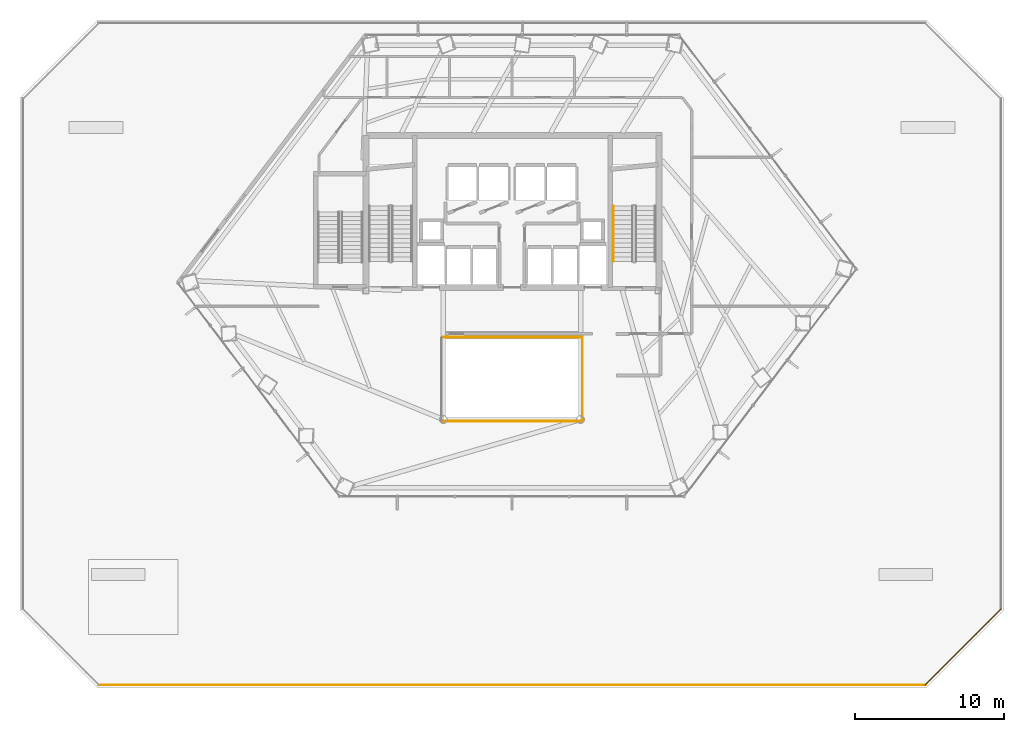
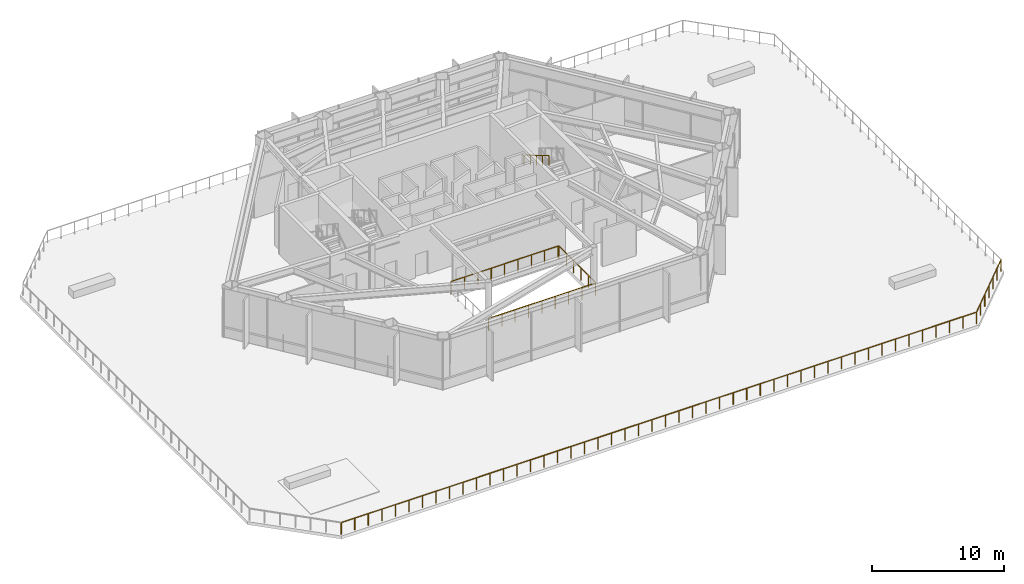
# One storey, part 26 of 30: 6 railings.
"""IFC4 building model written with IfcOpenShell, lengths in metres."""

from ifc_helpers import new_model, si_unit, direction, frame, origin, origin_2d, place, context, subcontext, project, spatial, circle, extrude, material, type_object, element, save


model = new_model("IFC4")

# Units and contexts
model_context = context("Model", 3, precision=1e-05, world=origin(), true_north=direction((0.0, 1.0)))
body_context = subcontext(model_context, "Body", "Model", "MODEL_VIEW")
ifc_project = project(units=[si_unit("LENGTHUNIT", "METRE"), si_unit("AREAUNIT", "SQUARE_METRE"), si_unit("VOLUMEUNIT", "CUBIC_METRE"), si_unit("PLANEANGLEUNIT", "RADIAN"), si_unit("MASSUNIT", "GRAM", prefix="KILO")], contexts=[model_context])

# Site, building, storey
site_placement = place(None, origin())
site = spatial("IfcSite", under=ifc_project, at=site_placement, CompositionType="ELEMENT")
building_placement = place(site_placement, origin())
building = spatial("IfcBuilding", under=site, at=building_placement, Name="Zarrinselat Tower", CompositionType="ELEMENT")
storey_placement = place(building_placement, frame((0.0, 0.0, 22.780029296875)))
storey = spatial("IfcBuildingStorey", under=building, at=storey_placement, Name="L05", CompositionType="ELEMENT", Elevation=22.780029296875)

# Railings
ifc_material_1 = material(Name="Double Low-E Laminated Solar Glass", Category="glass")
railing_type_1 = type_object("IfcRailingType", Name="RLG-ATRIUM-BAL", PredefinedType="BALUSTRADE", material=ifc_material_1)
railing_1_placement = place(storey_placement, frame((33.739990234375, 24.280029296875, 0.0)))
element("IfcRailing", 1, at=railing_1_placement, inside=storey, type_object=railing_type_1, Name="L05 Atrium Void Glass Balustrade S", PredefinedType="BALUSTRADE", context=body_context, shape_type="SweptSolid", body=[
    extrude(circle(Radius=0.02392578125, at=origin_2d()), frame((0.0, 0.0, 1.1259765625), z_axis=(1.0, 0.0, 0.0), x_axis=(0.0, 1.0, 0.0)), (0.0, 0.0, 1.0), 9.320068359375),
    extrude(circle(Radius=0.02099609375, at=origin_2d()), origin(), (0.0, 0.0, 1.0), 1.099853515625),
    extrude(circle(Radius=0.02099609375, at=origin_2d()), frame((1.1650390625, 0.0, 0.0)), (0.0, 0.0, 1.0), 1.099853515625),
    extrude(circle(Radius=0.02099609375, at=origin_2d()), frame((2.330078125, 0.0, 0.0)), (0.0, 0.0, 1.0), 1.099853515625),
    extrude(circle(Radius=0.02099609375, at=origin_2d()), frame((3.4951171875, 0.0, 0.0)), (0.0, 0.0, 1.0), 1.099853515625),
    extrude(circle(Radius=0.02099609375, at=origin_2d()), frame((4.66015625, 0.0, 0.0)), (0.0, 0.0, 1.0), 1.099853515625),
    extrude(circle(Radius=0.02099609375, at=origin_2d()), frame((5.824951171875, 0.0, 0.0)), (0.0, 0.0, 1.0), 1.099853515625),
    extrude(circle(Radius=0.02099609375, at=origin_2d()), frame((6.989990234375, 0.0, 0.0)), (0.0, 0.0, 1.0), 1.099853515625),
    extrude(circle(Radius=0.02099609375, at=origin_2d()), frame((8.155029296875, 0.0, 0.0)), (0.0, 0.0, 1.0), 1.099853515625),
    extrude(circle(Radius=0.02099609375, at=origin_2d()), frame((9.320068359375, 0.0, 0.0)), (0.0, 0.0, 1.0), 1.099853515625),
])
railing_2_placement = place(storey_placement, frame((43.1201171875, 24.340087890625, 0.0)))
element("IfcRailing", 2, at=railing_2_placement, inside=storey, type_object=railing_type_1, Name="L05 Atrium Void Glass Balustrade E", PredefinedType="BALUSTRADE", context=body_context, shape_type="SweptSolid", body=[
    extrude(circle(Radius=0.02392578125, at=origin_2d()), frame((0.0, 0.0, 1.1259765625), z_axis=(0.0, 1.0, 0.0), x_axis=(-1.0, 0.0, 0.0)), (0.0, 0.0, 1.0), 5.52001953125),
    extrude(circle(Radius=0.02099609375, at=origin_2d()), origin(), (0.0, 0.0, 1.0), 1.099853515625),
    extrude(circle(Radius=0.02099609375, at=origin_2d()), frame((0.0, 1.10400390625, 0.0)), (0.0, 0.0, 1.0), 1.099853515625),
    extrude(circle(Radius=0.02099609375, at=origin_2d()), frame((0.0, 2.2080078125, 0.0)), (0.0, 0.0, 1.0), 1.099853515625),
    extrude(circle(Radius=0.02099609375, at=origin_2d()), frame((0.0, 3.31201171875, 0.0)), (0.0, 0.0, 1.0), 1.099853515625),
    extrude(circle(Radius=0.02099609375, at=origin_2d()), frame((0.0, 4.416015625, 0.0)), (0.0, 0.0, 1.0), 1.099853515625),
    extrude(circle(Radius=0.02099609375, at=origin_2d()), frame((0.0, 5.52001953125, 0.0)), (0.0, 0.0, 1.0), 1.099853515625),
])
railing_3_placement = place(storey_placement, frame((43.06005859375, 29.919921875, 0.0)))
element("IfcRailing", 3, at=railing_3_placement, inside=storey, type_object=railing_type_1, Name="L05 Atrium Void Glass Balustrade N", PredefinedType="BALUSTRADE", context=body_context, shape_type="SweptSolid", body=[
    extrude(circle(Radius=0.02392578125, at=origin_2d()), frame((0.0, 0.0, 1.1259765625), z_axis=(-1.0, 0.0, 0.0), x_axis=(0.0, -1.0, 0.0)), (0.0, 0.0, 1.0), 9.320068359375),
    extrude(circle(Radius=0.02099609375, at=origin_2d()), origin(), (0.0, 0.0, 1.0), 1.099853515625),
    extrude(circle(Radius=0.02099609375, at=origin_2d()), frame((-1.1650390625, 0.0, 0.0)), (0.0, 0.0, 1.0), 1.099853515625),
    extrude(circle(Radius=0.02099609375, at=origin_2d()), frame((-2.330078125, 0.0, 0.0)), (0.0, 0.0, 1.0), 1.099853515625),
    extrude(circle(Radius=0.02099609375, at=origin_2d()), frame((-3.4951171875, 0.0, 0.0)), (0.0, 0.0, 1.0), 1.099853515625),
    extrude(circle(Radius=0.02099609375, at=origin_2d()), frame((-4.66015625, 0.0, 0.0)), (0.0, 0.0, 1.0), 1.099853515625),
    extrude(circle(Radius=0.02099609375, at=origin_2d()), frame((-5.824951171875, 0.0, 0.0)), (0.0, 0.0, 1.0), 1.099853515625),
    extrude(circle(Radius=0.02099609375, at=origin_2d()), frame((-6.989990234375, 0.0, 0.0)), (0.0, 0.0, 1.0), 1.099853515625),
    extrude(circle(Radius=0.02099609375, at=origin_2d()), frame((-8.155029296875, 0.0, 0.0)), (0.0, 0.0, 1.0), 1.099853515625),
    extrude(circle(Radius=0.02099609375, at=origin_2d()), frame((-9.320068359375, 0.0, 0.0)), (0.0, 0.0, 1.0), 1.099853515625),
])
ifc_material_2 = material(Name="Steel S355J2", Category="steel")
railing_type_2 = type_object("IfcRailingType", Name="RLG-STAIR-HAND", PredefinedType="HANDRAIL", material=ifc_material_2)
railing_4_placement = place(storey_placement, frame((45.18994140625, 38.719970703125, 2.56298828125)))
element("IfcRailing", 4, at=railing_4_placement, inside=storey, type_object=railing_type_2, Name="L05 ST-2 stair handrail 2", PredefinedType="HANDRAIL", context=body_context, shape_type="SweptSolid", body=[
    extrude(circle(Radius=0.02392578125, at=origin_2d()), frame((0.0, 0.0, 0.8759765625), z_axis=(0.0, -0.861042381604, 0.508533201553), x_axis=(1.0, 0.0, 0.0)), (0.0, 0.0, 1.0), 4.3203125),
    extrude(circle(Radius=0.02099609375, at=origin_2d()), origin(), (0.0, 0.0, 1.0), 0.849853515625),
    extrude(circle(Radius=0.02099609375, at=origin_2d()), frame((0.0, -0.929931640625, 0.54931640625)), (0.0, 0.0, 1.0), 0.849853515625),
    extrude(circle(Radius=0.02099609375, at=origin_2d()), frame((0.0, -1.85986328125, 1.0986328125)), (0.0, 0.0, 1.0), 0.849853515625),
    extrude(circle(Radius=0.02099609375, at=origin_2d()), frame((0.0, -2.7900390625, 1.647705078125)), (0.0, 0.0, 1.0), 0.849853515625),
    extrude(circle(Radius=0.02099609375, at=origin_2d()), frame((0.0, -3.719970703125, 2.197021484375)), (0.0, 0.0, 1.0), 0.849853515625),
])
ifc_material_3 = material(Name="Steel S355J2", Category="steel")
railing_type_3 = type_object("IfcRailingType", Name="RLG-TERR-GUARD", PredefinedType="GUARDRAIL", material=ifc_material_3)
railing_5_placement = place(storey_placement, frame((71.199951171875, 11.682861328125, 0.0)))
element("IfcRailing", 5, at=railing_5_placement, inside=storey, type_object=railing_type_3, Name="L05 Chahar-Bagh Raised Garden Guardrail 7-1", PredefinedType="GUARDRAIL", context=body_context, shape_type="SweptSolid", body=[
    extrude(circle(Radius=0.02392578125, at=origin_2d()), frame((0.0, 0.0, 1.09619140625), z_axis=(-0.707106781187, -0.707106781187, 0.0), x_axis=(0.707106781187, -0.707106781187, 0.0)), (0.0, 0.0, 1.0), 7.188232421875),
    extrude(circle(Radius=0.02099609375, at=origin_2d()), origin(), (0.0, 0.0, 1.0), 1.070068359375),
    extrude(circle(Radius=0.02099609375, at=origin_2d()), frame((-0.84716796875, -0.84716796875, 0.0)), (0.0, 0.0, 1.0), 1.070068359375),
    extrude(circle(Radius=0.02099609375, at=origin_2d()), frame((-1.6943359375, -1.6943359375, 0.0)), (0.0, 0.0, 1.0), 1.070068359375),
    extrude(circle(Radius=0.02099609375, at=origin_2d()), frame((-2.54150390625, -2.54150390625, 0.0)), (0.0, 0.0, 1.0), 1.070068359375),
    extrude(circle(Radius=0.02099609375, at=origin_2d()), frame((-3.388427734375, -3.388427734375, 0.0)), (0.0, 0.0, 1.0), 1.070068359375),
    extrude(circle(Radius=0.02099609375, at=origin_2d()), frame((-4.235595703125, -4.235595703125, 0.0)), (0.0, 0.0, 1.0), 1.070068359375),
    extrude(circle(Radius=0.02099609375, at=origin_2d()), frame((-5.082763671875, -5.082763671875, 0.0)), (0.0, 0.0, 1.0), 1.070068359375),
])
railing_6_placement = place(storey_placement, frame((66.1171875, 6.60009765625, 0.0)))
element("IfcRailing", 6, at=railing_6_placement, inside=storey, type_object=railing_type_3, Name="L05 Chahar-Bagh Raised Garden Guardrail 8-1", PredefinedType="GUARDRAIL", context=body_context, shape_type="SweptSolid", body=[
    extrude(circle(Radius=0.02392578125, at=origin_2d()), frame((0.0, 0.0, 1.09619140625), z_axis=(-1.0, 0.0, 0.0), x_axis=(0.0, -1.0, 0.0)), (0.0, 0.0, 1.0), 55.434326171875),
    extrude(circle(Radius=0.02099609375, at=origin_2d()), origin(), (0.0, 0.0, 1.0), 1.070068359375),
    extrude(circle(Radius=0.02099609375, at=origin_2d()), frame((-1.179443359375, 0.0, 0.0)), (0.0, 0.0, 1.0), 1.070068359375),
    extrude(circle(Radius=0.02099609375, at=origin_2d()), frame((-2.35888671875, 0.0, 0.0)), (0.0, 0.0, 1.0), 1.070068359375),
    extrude(circle(Radius=0.02099609375, at=origin_2d()), frame((-3.538330078125, 0.0, 0.0)), (0.0, 0.0, 1.0), 1.070068359375),
    extrude(circle(Radius=0.02099609375, at=origin_2d()), frame((-4.7177734375, 0.0, 0.0)), (0.0, 0.0, 1.0), 1.070068359375),
    extrude(circle(Radius=0.02099609375, at=origin_2d()), frame((-5.897216796875, 0.0, 0.0)), (0.0, 0.0, 1.0), 1.070068359375),
    extrude(circle(Radius=0.02099609375, at=origin_2d()), frame((-7.07666015625, 0.0, 0.0)), (0.0, 0.0, 1.0), 1.070068359375),
    extrude(circle(Radius=0.02099609375, at=origin_2d()), frame((-8.256103515625, 0.0, 0.0)), (0.0, 0.0, 1.0), 1.070068359375),
    extrude(circle(Radius=0.02099609375, at=origin_2d()), frame((-9.435546875, 0.0, 0.0)), (0.0, 0.0, 1.0), 1.070068359375),
    extrude(circle(Radius=0.02099609375, at=origin_2d()), frame((-10.614990234375, 0.0, 0.0)), (0.0, 0.0, 1.0), 1.070068359375),
    extrude(circle(Radius=0.02099609375, at=origin_2d()), frame((-11.79443359375, 0.0, 0.0)), (0.0, 0.0, 1.0), 1.070068359375),
    extrude(circle(Radius=0.02099609375, at=origin_2d()), frame((-12.973876953125, 0.0, 0.0)), (0.0, 0.0, 1.0), 1.070068359375),
    extrude(circle(Radius=0.02099609375, at=origin_2d()), frame((-14.153564453125, 0.0, 0.0)), (0.0, 0.0, 1.0), 1.070068359375),
    extrude(circle(Radius=0.02099609375, at=origin_2d()), frame((-15.3330078125, 0.0, 0.0)), (0.0, 0.0, 1.0), 1.070068359375),
    extrude(circle(Radius=0.02099609375, at=origin_2d()), frame((-16.512451171875, 0.0, 0.0)), (0.0, 0.0, 1.0), 1.070068359375),
    extrude(circle(Radius=0.02099609375, at=origin_2d()), frame((-17.69189453125, 0.0, 0.0)), (0.0, 0.0, 1.0), 1.070068359375),
    extrude(circle(Radius=0.02099609375, at=origin_2d()), frame((-18.871337890625, 0.0, 0.0)), (0.0, 0.0, 1.0), 1.070068359375),
    extrude(circle(Radius=0.02099609375, at=origin_2d()), frame((-20.05078125, 0.0, 0.0)), (0.0, 0.0, 1.0), 1.070068359375),
    extrude(circle(Radius=0.02099609375, at=origin_2d()), frame((-21.230224609375, 0.0, 0.0)), (0.0, 0.0, 1.0), 1.070068359375),
    extrude(circle(Radius=0.02099609375, at=origin_2d()), frame((-22.40966796875, 0.0, 0.0)), (0.0, 0.0, 1.0), 1.070068359375),
    extrude(circle(Radius=0.02099609375, at=origin_2d()), frame((-23.589111328125, 0.0, 0.0)), (0.0, 0.0, 1.0), 1.070068359375),
    extrude(circle(Radius=0.02099609375, at=origin_2d()), frame((-24.7685546875, 0.0, 0.0)), (0.0, 0.0, 1.0), 1.070068359375),
    extrude(circle(Radius=0.02099609375, at=origin_2d()), frame((-25.947998046875, 0.0, 0.0)), (0.0, 0.0, 1.0), 1.070068359375),
    extrude(circle(Radius=0.02099609375, at=origin_2d()), frame((-27.12744140625, 0.0, 0.0)), (0.0, 0.0, 1.0), 1.070068359375),
    extrude(circle(Radius=0.02099609375, at=origin_2d()), frame((-28.306884765625, 0.0, 0.0)), (0.0, 0.0, 1.0), 1.070068359375),
    extrude(circle(Radius=0.02099609375, at=origin_2d()), frame((-29.486328125, 0.0, 0.0)), (0.0, 0.0, 1.0), 1.070068359375),
    extrude(circle(Radius=0.02099609375, at=origin_2d()), frame((-30.665771484375, 0.0, 0.0)), (0.0, 0.0, 1.0), 1.070068359375),
    extrude(circle(Radius=0.02099609375, at=origin_2d()), frame((-31.84521484375, 0.0, 0.0)), (0.0, 0.0, 1.0), 1.070068359375),
    extrude(circle(Radius=0.02099609375, at=origin_2d()), frame((-33.024658203125, 0.0, 0.0)), (0.0, 0.0, 1.0), 1.070068359375),
    extrude(circle(Radius=0.02099609375, at=origin_2d()), frame((-34.2041015625, 0.0, 0.0)), (0.0, 0.0, 1.0), 1.070068359375),
    extrude(circle(Radius=0.02099609375, at=origin_2d()), frame((-35.383544921875, 0.0, 0.0)), (0.0, 0.0, 1.0), 1.070068359375),
    extrude(circle(Radius=0.02099609375, at=origin_2d()), frame((-36.56298828125, 0.0, 0.0)), (0.0, 0.0, 1.0), 1.070068359375),
    extrude(circle(Radius=0.02099609375, at=origin_2d()), frame((-37.742431640625, 0.0, 0.0)), (0.0, 0.0, 1.0), 1.070068359375),
    extrude(circle(Radius=0.02099609375, at=origin_2d()), frame((-38.921875, 0.0, 0.0)), (0.0, 0.0, 1.0), 1.070068359375),
    extrude(circle(Radius=0.02099609375, at=origin_2d()), frame((-40.101318359375, 0.0, 0.0)), (0.0, 0.0, 1.0), 1.070068359375),
    extrude(circle(Radius=0.02099609375, at=origin_2d()), frame((-41.28076171875, 0.0, 0.0)), (0.0, 0.0, 1.0), 1.070068359375),
    extrude(circle(Radius=0.02099609375, at=origin_2d()), frame((-42.46044921875, 0.0, 0.0)), (0.0, 0.0, 1.0), 1.070068359375),
    extrude(circle(Radius=0.02099609375, at=origin_2d()), frame((-43.639892578125, 0.0, 0.0)), (0.0, 0.0, 1.0), 1.070068359375),
    extrude(circle(Radius=0.02099609375, at=origin_2d()), frame((-44.8193359375, 0.0, 0.0)), (0.0, 0.0, 1.0), 1.070068359375),
    extrude(circle(Radius=0.02099609375, at=origin_2d()), frame((-45.998779296875, 0.0, 0.0)), (0.0, 0.0, 1.0), 1.070068359375),
    extrude(circle(Radius=0.02099609375, at=origin_2d()), frame((-47.17822265625, 0.0, 0.0)), (0.0, 0.0, 1.0), 1.070068359375),
    extrude(circle(Radius=0.02099609375, at=origin_2d()), frame((-48.357666015625, 0.0, 0.0)), (0.0, 0.0, 1.0), 1.070068359375),
    extrude(circle(Radius=0.02099609375, at=origin_2d()), frame((-49.537109375, 0.0, 0.0)), (0.0, 0.0, 1.0), 1.070068359375),
    extrude(circle(Radius=0.02099609375, at=origin_2d()), frame((-50.716552734375, 0.0, 0.0)), (0.0, 0.0, 1.0), 1.070068359375),
    extrude(circle(Radius=0.02099609375, at=origin_2d()), frame((-51.89599609375, 0.0, 0.0)), (0.0, 0.0, 1.0), 1.070068359375),
    extrude(circle(Radius=0.02099609375, at=origin_2d()), frame((-53.075439453125, 0.0, 0.0)), (0.0, 0.0, 1.0), 1.070068359375),
    extrude(circle(Radius=0.02099609375, at=origin_2d()), frame((-54.2548828125, 0.0, 0.0)), (0.0, 0.0, 1.0), 1.070068359375),
    extrude(circle(Radius=0.02099609375, at=origin_2d()), frame((-55.434326171875, 0.0, 0.0)), (0.0, 0.0, 1.0), 1.070068359375),
])

save(model, "model.ifc")
